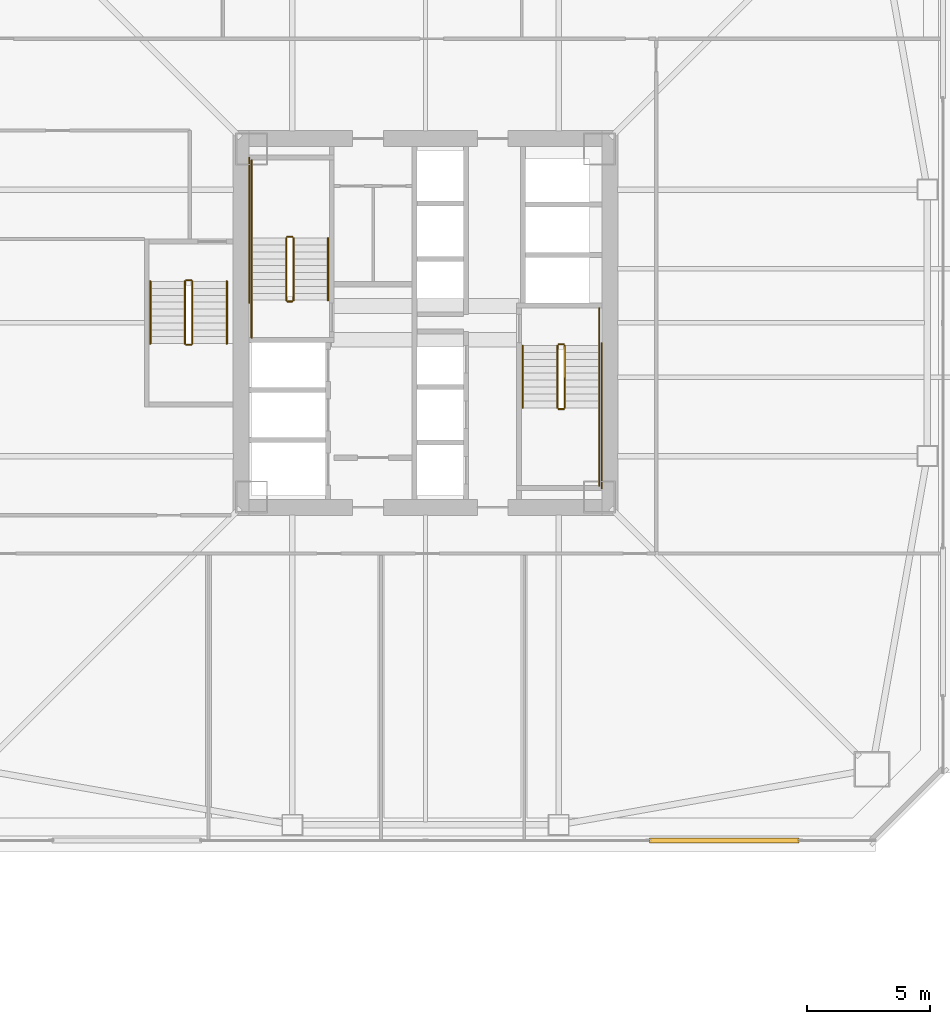
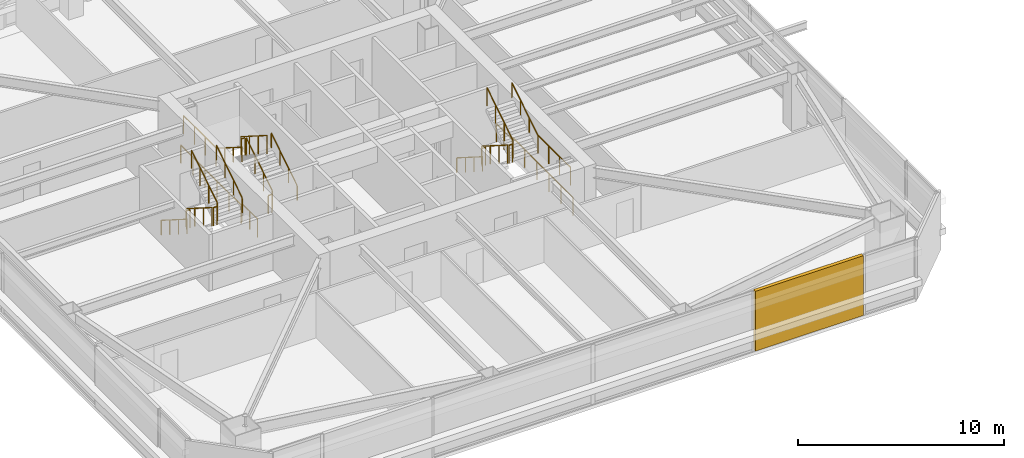
# One storey, part 42 of 47: 24 railings, 1 covering.
"""IFC4 building model written with IfcOpenShell, lengths in metres."""

from ifc_helpers import new_model, si_unit, direction, frame, origin, origin_2d, place, context, subcontext, project, spatial, rectangle, extrude, material, layer, layer_set, type_object, element, save


model = new_model("IFC4")

# Units and contexts
model_context = context("Model", 3, precision=1e-05, world=origin(), true_north=direction((0.0, 1.0)))
body_context = subcontext(model_context, "Body", "Model", "MODEL_VIEW")
ifc_project = project(units=[si_unit("LENGTHUNIT", "METRE"), si_unit("AREAUNIT", "SQUARE_METRE"), si_unit("VOLUMEUNIT", "CUBIC_METRE"), si_unit("PLANEANGLEUNIT", "RADIAN"), si_unit("MASSUNIT", "GRAM", prefix="KILO")], contexts=[model_context])

# Site, building, storey
site_placement = place(None, origin())
site = spatial("IfcSite", under=ifc_project, at=site_placement, CompositionType="ELEMENT")
building_placement = place(site_placement, origin())
building = spatial("IfcBuilding", under=site, at=building_placement, Name="Tashvorn Skyway Center", CompositionType="ELEMENT")
storey_placement = place(building_placement, frame((0.0, 0.0, 81.39990234375)))
storey = spatial("IfcBuildingStorey", under=building, at=storey_placement, Name="L21", CompositionType="ELEMENT", Elevation=81.39990234375)

# Covering
ifc_material_1 = material(Name="Precast concrete C40/50", Category="concrete")
ifc_layer = layer(ifc_material_1, 0.199951171875)
ifc_layer_set = layer_set([ifc_layer], Name="Precast concrete C40/50")
covering_type = type_object("IfcCoveringType", Name="COV-BRACE-CLAD", PredefinedType="CLADDING", material=ifc_layer_set)
covering_placement = place(storey_placement, frame((54.1201171875, 11.02001953125, 0.0), z_axis=(0.0, 0.0, 1.0), x_axis=(-1.0, 0.0, 0.0)))
element("IfcCovering", 1, at=covering_placement, inside=storey, type_object=covering_type, Name="Tower 1 L21 South Unitised Curtain Wall Mega-Brace Cladding Band 1", PredefinedType="CLADDING", context=body_context, shape_type="SweptSolid", body=[
    extrude(rectangle(XDim=6.06005859375, YDim=0.199951171875, at=origin_2d()), origin(), (0.0, 0.0, 1.0), 3.550048828125),
])

# Railings
ifc_material_2 = material(Name="Brushed stainless steel 316", Category="steel")
railing_type_1 = type_object("IfcRailingType", Name="RAIL-HAND-920", PredefinedType="HANDRAIL", material=ifc_material_2)
railing_1_placement = place(storey_placement, frame((38.050048828125, 32.919921875, 0.177490234375)))
element("IfcRailing", 2, at=railing_1_placement, inside=storey, type_object=railing_type_1, Name="L21 ST-T1-1 stair handrail 1", PredefinedType="HANDRAIL", context=body_context, shape_type="SweptSolid", body=[
    extrude(rectangle(XDim=0.048095703125, YDim=0.048095703125, at=origin_2d()), frame((0.0, 0.0, 0.8759765625), z_axis=(0.0, 0.84456994832, 0.535445237532), x_axis=(-1.0, 0.0, 0.0)), (0.0, 0.0, 1.0), 2.98388671875),
    extrude(rectangle(XDim=0.0419921875, YDim=0.0419921875, at=origin_2d()), origin(), (0.0, 0.0, 1.0), 0.851806640625),
    extrude(rectangle(XDim=0.0419921875, YDim=0.0419921875, at=origin_2d()), frame((0.0, 0.840087890625, 0.532470703125)), (0.0, 0.0, 1.0), 0.851806640625),
    extrude(rectangle(XDim=0.0419921875, YDim=0.0419921875, at=origin_2d()), frame((0.0, 1.679931640625, 1.065185546875)), (0.0, 0.0, 1.0), 0.851806640625),
    extrude(rectangle(XDim=0.0419921875, YDim=0.0419921875, at=origin_2d()), frame((0.0, 2.52001953125, 1.59765625)), (0.0, 0.0, 1.0), 0.851806640625),
])
railing_2_placement = place(storey_placement, frame((34.949951171875, 35.43994140625, 1.95263671875)))
element("IfcRailing", 3, at=railing_2_placement, inside=storey, type_object=railing_type_1, Name="L21 ST-T1-1 stair handrail 2", PredefinedType="HANDRAIL", context=body_context, shape_type="SweptSolid", body=[
    extrude(rectangle(XDim=0.048095703125, YDim=0.048095703125, at=origin_2d()), frame((0.0, 0.0, 0.8759765625), z_axis=(0.0, -0.84460694969, 0.535386869969), x_axis=(1.0, 0.0, 0.0)), (0.0, 0.0, 1.0), 2.983642578125),
    extrude(rectangle(XDim=0.0419921875, YDim=0.0419921875, at=origin_2d()), origin(), (0.0, 0.0, 1.0), 0.851806640625),
    extrude(rectangle(XDim=0.0419921875, YDim=0.0419921875, at=origin_2d()), frame((0.0, -0.840087890625, 0.532470703125)), (0.0, 0.0, 1.0), 0.851806640625),
    extrude(rectangle(XDim=0.0419921875, YDim=0.0419921875, at=origin_2d()), frame((0.0, -1.679931640625, 1.06494140625)), (0.0, 0.0, 1.0), 0.851806640625),
    extrude(rectangle(XDim=0.0419921875, YDim=0.0419921875, at=origin_2d()), frame((0.0, -2.52001953125, 1.597412109375)), (0.0, 0.0, 1.0), 0.851806640625),
])
railing_3_placement = place(storey_placement, frame((45.949951171875, 31.080078125, 0.177490234375)))
element("IfcRailing", 4, at=railing_3_placement, inside=storey, type_object=railing_type_1, Name="L21 ST-T1-2 stair handrail 1", PredefinedType="HANDRAIL", context=body_context, shape_type="SweptSolid", body=[
    extrude(rectangle(XDim=0.048095703125, YDim=0.048095703125, at=origin_2d()), frame((0.0, 0.0, 0.8759765625), z_axis=(0.0, -0.84456994832, 0.535445237532), x_axis=(1.0, 0.0, 0.0)), (0.0, 0.0, 1.0), 2.98388671875),
    extrude(rectangle(XDim=0.0419921875, YDim=0.0419921875, at=origin_2d()), origin(), (0.0, 0.0, 1.0), 0.851806640625),
    extrude(rectangle(XDim=0.0419921875, YDim=0.0419921875, at=origin_2d()), frame((0.0, -0.840087890625, 0.532470703125)), (0.0, 0.0, 1.0), 0.851806640625),
    extrude(rectangle(XDim=0.0419921875, YDim=0.0419921875, at=origin_2d()), frame((0.0, -1.679931640625, 1.065185546875)), (0.0, 0.0, 1.0), 0.851806640625),
    extrude(rectangle(XDim=0.0419921875, YDim=0.0419921875, at=origin_2d()), frame((0.0, -2.52001953125, 1.59765625)), (0.0, 0.0, 1.0), 0.851806640625),
])
railing_4_placement = place(storey_placement, frame((49.050048828125, 28.56005859375, 1.95263671875)))
element("IfcRailing", 5, at=railing_4_placement, inside=storey, type_object=railing_type_1, Name="L21 ST-T1-2 stair handrail 2", PredefinedType="HANDRAIL", context=body_context, shape_type="SweptSolid", body=[
    extrude(rectangle(XDim=0.048095703125, YDim=0.048095703125, at=origin_2d()), frame((0.0, 0.0, 0.8759765625), z_axis=(0.0, 0.84460694969, 0.535386869969), x_axis=(-1.0, 0.0, 0.0)), (0.0, 0.0, 1.0), 2.983642578125),
    extrude(rectangle(XDim=0.0419921875, YDim=0.0419921875, at=origin_2d()), origin(), (0.0, 0.0, 1.0), 0.851806640625),
    extrude(rectangle(XDim=0.0419921875, YDim=0.0419921875, at=origin_2d()), frame((0.0, 0.840087890625, 0.532470703125)), (0.0, 0.0, 1.0), 0.851806640625),
    extrude(rectangle(XDim=0.0419921875, YDim=0.0419921875, at=origin_2d()), frame((0.0, 1.679931640625, 1.06494140625)), (0.0, 0.0, 1.0), 0.851806640625),
    extrude(rectangle(XDim=0.0419921875, YDim=0.0419921875, at=origin_2d()), frame((0.0, 2.52001953125, 1.597412109375)), (0.0, 0.0, 1.0), 0.851806640625),
])
railing_5_placement = place(storey_placement, frame((30.85009765625, 33.679931640625, 0.177490234375)))
element("IfcRailing", 6, at=railing_5_placement, inside=storey, type_object=railing_type_1, Name="L21 ST-T1-3 stair handrail 1", PredefinedType="HANDRAIL", context=body_context, shape_type="SweptSolid", body=[
    extrude(rectangle(XDim=0.048095703125, YDim=0.048095703125, at=origin_2d()), frame((0.0, 0.0, 0.8759765625), z_axis=(0.0, -0.84456994832, 0.535445237532), x_axis=(1.0, 0.0, 0.0)), (0.0, 0.0, 1.0), 2.98388671875),
    extrude(rectangle(XDim=0.0419921875, YDim=0.0419921875, at=origin_2d()), origin(), (0.0, 0.0, 1.0), 0.851806640625),
    extrude(rectangle(XDim=0.0419921875, YDim=0.0419921875, at=origin_2d()), frame((0.0, -0.840087890625, 0.532470703125)), (0.0, 0.0, 1.0), 0.851806640625),
    extrude(rectangle(XDim=0.0419921875, YDim=0.0419921875, at=origin_2d()), frame((0.0, -1.679931640625, 1.065185546875)), (0.0, 0.0, 1.0), 0.851806640625),
    extrude(rectangle(XDim=0.0419921875, YDim=0.0419921875, at=origin_2d()), frame((0.0, -2.52001953125, 1.59765625)), (0.0, 0.0, 1.0), 0.851806640625),
])
railing_6_placement = place(storey_placement, frame((33.949951171875, 31.159912109375, 1.95263671875)))
element("IfcRailing", 7, at=railing_6_placement, inside=storey, type_object=railing_type_1, Name="L21 ST-T1-3 stair handrail 2", PredefinedType="HANDRAIL", context=body_context, shape_type="SweptSolid", body=[
    extrude(rectangle(XDim=0.048095703125, YDim=0.048095703125, at=origin_2d()), frame((0.0, 0.0, 0.8759765625), z_axis=(0.0, 0.84460694969, 0.535386869969), x_axis=(-1.0, 0.0, 0.0)), (0.0, 0.0, 1.0), 2.983642578125),
    extrude(rectangle(XDim=0.0419921875, YDim=0.0419921875, at=origin_2d()), origin(), (0.0, 0.0, 1.0), 0.851806640625),
    extrude(rectangle(XDim=0.0419921875, YDim=0.0419921875, at=origin_2d()), frame((0.0, 0.840087890625, 0.532470703125)), (0.0, 0.0, 1.0), 0.851806640625),
    extrude(rectangle(XDim=0.0419921875, YDim=0.0419921875, at=origin_2d()), frame((0.0, 1.679931640625, 1.06494140625)), (0.0, 0.0, 1.0), 0.851806640625),
    extrude(rectangle(XDim=0.0419921875, YDim=0.0419921875, at=origin_2d()), frame((0.0, 2.52001953125, 1.597412109375)), (0.0, 0.0, 1.0), 0.851806640625),
])
ifc_material_3 = material(Name="Painted galvanized steel S355", Category="steel")
railing_type_2 = type_object("IfcRailingType", Name="RAIL-STGUARD-1100", PredefinedType="GUARDRAIL", material=ifc_material_3)
railing_7_placement = place(storey_placement, frame((36.64990234375, 32.919921875, 0.177490234375)))
element("IfcRailing", 8, at=railing_7_placement, inside=storey, type_object=railing_type_2, Name="L21 ST-T1-1 stair guard 1", PredefinedType="GUARDRAIL", context=body_context, shape_type="SweptSolid", body=[
    extrude(rectangle(XDim=0.048095703125, YDim=0.048095703125, at=origin_2d()), frame((0.0, 0.0, 1.076171875), z_axis=(0.0, 0.84456994832, 0.535445237532), x_axis=(-1.0, 0.0, 0.0)), (0.0, 0.0, 1.0), 2.98388671875),
    extrude(rectangle(XDim=0.0419921875, YDim=0.0419921875, at=origin_2d()), origin(), (0.0, 0.0, 1.0), 1.052001953125),
    extrude(rectangle(XDim=0.0419921875, YDim=0.0419921875, at=origin_2d()), frame((0.0, 0.840087890625, 0.532470703125)), (0.0, 0.0, 1.0), 1.052001953125),
    extrude(rectangle(XDim=0.0419921875, YDim=0.0419921875, at=origin_2d()), frame((0.0, 1.679931640625, 1.065185546875)), (0.0, 0.0, 1.0), 1.052001953125),
    extrude(rectangle(XDim=0.0419921875, YDim=0.0419921875, at=origin_2d()), frame((0.0, 2.52001953125, 1.59765625)), (0.0, 0.0, 1.0), 1.052001953125),
])
railing_8_placement = place(storey_placement, frame((36.60009765625, 35.489990234375, 1.775146484375)))
element("IfcRailing", 9, at=railing_8_placement, inside=storey, type_object=railing_type_2, Name="L21 ST-T1-1 stair guard 2", PredefinedType="GUARDRAIL", context=body_context, shape_type="SweptSolid", body=[
    extrude(rectangle(XDim=0.048095703125, YDim=0.048095703125, at=origin_2d()), frame((0.0, 0.0, 1.076171875), z_axis=(-1.0, 0.0, 0.0), x_axis=(0.0, -1.0, 0.0)), (0.0, 0.0, 1.0), 0.2001953125),
    extrude(rectangle(XDim=0.0419921875, YDim=0.0419921875, at=origin_2d()), origin(), (0.0, 0.0, 1.0), 1.052001953125),
    extrude(rectangle(XDim=0.0419921875, YDim=0.0419921875, at=origin_2d()), frame((-0.2001953125, 0.0, 0.0)), (0.0, 0.0, 1.0), 1.052001953125),
])
railing_9_placement = place(storey_placement, frame((34.949951171875, 35.43994140625, 1.775146484375)))
element("IfcRailing", 10, at=railing_9_placement, inside=storey, type_object=railing_type_2, Name="L21 ST-T1-1 stair guard 3", PredefinedType="GUARDRAIL", context=body_context, shape_type="SweptSolid", body=[
    extrude(rectangle(XDim=0.048095703125, YDim=0.048095703125, at=origin_2d()), frame((0.0, 0.0, 1.076171875), z_axis=(0.0, 1.0, 0.0), x_axis=(-1.0, 0.0, 0.0)), (0.0, 0.0, 1.0), 3.16015625),
    extrude(rectangle(XDim=0.0419921875, YDim=0.0419921875, at=origin_2d()), origin(), (0.0, 0.0, 1.0), 1.052001953125),
    extrude(rectangle(XDim=0.0419921875, YDim=0.0419921875, at=origin_2d()), frame((0.0, 1.053466796875, 0.0)), (0.0, 0.0, 1.0), 1.052001953125),
    extrude(rectangle(XDim=0.0419921875, YDim=0.0419921875, at=origin_2d()), frame((0.0, 2.106689453125, 0.0)), (0.0, 0.0, 1.0), 1.052001953125),
    extrude(rectangle(XDim=0.0419921875, YDim=0.0419921875, at=origin_2d()), frame((0.0, 3.16015625, 0.0)), (0.0, 0.0, 1.0), 1.052001953125),
])
railing_10_placement = place(storey_placement, frame((36.35009765625, 35.43994140625, 1.95263671875)))
element("IfcRailing", 11, at=railing_10_placement, inside=storey, type_object=railing_type_2, Name="L21 ST-T1-1 stair guard 4", PredefinedType="GUARDRAIL", context=body_context, shape_type="SweptSolid", body=[
    extrude(rectangle(XDim=0.048095703125, YDim=0.048095703125, at=origin_2d()), frame((0.0, 0.0, 1.076171875), z_axis=(0.0, -0.84460694969, 0.535386869969), x_axis=(1.0, 0.0, 0.0)), (0.0, 0.0, 1.0), 2.983642578125),
    extrude(rectangle(XDim=0.0419921875, YDim=0.0419921875, at=origin_2d()), origin(), (0.0, 0.0, 1.0), 1.052001953125),
    extrude(rectangle(XDim=0.0419921875, YDim=0.0419921875, at=origin_2d()), frame((0.0, -0.840087890625, 0.532470703125)), (0.0, 0.0, 1.0), 1.052001953125),
    extrude(rectangle(XDim=0.0419921875, YDim=0.0419921875, at=origin_2d()), frame((0.0, -1.679931640625, 1.06494140625)), (0.0, 0.0, 1.0), 1.052001953125),
    extrude(rectangle(XDim=0.0419921875, YDim=0.0419921875, at=origin_2d()), frame((0.0, -2.52001953125, 1.597412109375)), (0.0, 0.0, 1.0), 1.052001953125),
])
railing_11_placement = place(storey_placement, frame((36.60009765625, 32.8701171875, 0.0)))
element("IfcRailing", 12, at=railing_11_placement, inside=storey, type_object=railing_type_2, Name="L21 ST-T1-1 stair guard 5", PredefinedType="GUARDRAIL", context=body_context, shape_type="SweptSolid", body=[
    extrude(rectangle(XDim=0.048095703125, YDim=0.048095703125, at=origin_2d()), frame((0.0, 0.0, 1.076171875), z_axis=(-1.0, 0.0, 0.0), x_axis=(0.0, -1.0, 0.0)), (0.0, 0.0, 1.0), 0.2001953125),
    extrude(rectangle(XDim=0.0419921875, YDim=0.0419921875, at=origin_2d()), origin(), (0.0, 0.0, 1.0), 1.052001953125),
    extrude(rectangle(XDim=0.0419921875, YDim=0.0419921875, at=origin_2d()), frame((-0.2001953125, 0.0, 0.0)), (0.0, 0.0, 1.0), 1.052001953125),
])
railing_12_placement = place(storey_placement, frame((34.949951171875, 31.39990234375, 0.0)))
element("IfcRailing", 13, at=railing_12_placement, inside=storey, type_object=railing_type_2, Name="L21 ST-T1-1 stair guard 6", PredefinedType="GUARDRAIL", context=body_context, shape_type="SweptSolid", body=[
    extrude(rectangle(XDim=0.048095703125, YDim=0.048095703125, at=origin_2d()), frame((0.0, 0.0, 1.076171875), z_axis=(0.0, 1.0, 0.0), x_axis=(-1.0, 0.0, 0.0)), (0.0, 0.0, 1.0), 1.52001953125),
    extrude(rectangle(XDim=0.0419921875, YDim=0.0419921875, at=origin_2d()), origin(), (0.0, 0.0, 1.0), 1.052001953125),
    extrude(rectangle(XDim=0.0419921875, YDim=0.0419921875, at=origin_2d()), frame((0.0, 0.760009765625, 0.0)), (0.0, 0.0, 1.0), 1.052001953125),
    extrude(rectangle(XDim=0.0419921875, YDim=0.0419921875, at=origin_2d()), frame((0.0, 1.52001953125, 0.0)), (0.0, 0.0, 1.0), 1.052001953125),
])
railing_13_placement = place(storey_placement, frame((34.85009765625, 32.820068359375, 0.0)))
element("IfcRailing", 14, at=railing_13_placement, inside=storey, type_object=railing_type_2, Name="L21 ST-T1-1 stair guard 7", PredefinedType="GUARDRAIL", context=body_context, shape_type="SweptSolid", body=[
    extrude(rectangle(XDim=0.048095703125, YDim=0.048095703125, at=origin_2d()), frame((0.0, 0.0, 1.076171875), z_axis=(0.0, 1.0, 0.0), x_axis=(-1.0, 0.0, 0.0)), (0.0, 0.0, 1.0), 5.8798828125),
    extrude(rectangle(XDim=0.0419921875, YDim=0.0419921875, at=origin_2d()), origin(), (0.0, 0.0, 1.0), 1.052001953125),
    extrude(rectangle(XDim=0.0419921875, YDim=0.0419921875, at=origin_2d()), frame((0.0, 1.176025390625, 0.0)), (0.0, 0.0, 1.0), 1.052001953125),
    extrude(rectangle(XDim=0.0419921875, YDim=0.0419921875, at=origin_2d()), frame((0.0, 2.35205078125, 0.0)), (0.0, 0.0, 1.0), 1.052001953125),
    extrude(rectangle(XDim=0.0419921875, YDim=0.0419921875, at=origin_2d()), frame((0.0, 3.52783203125, 0.0)), (0.0, 0.0, 1.0), 1.052001953125),
    extrude(rectangle(XDim=0.0419921875, YDim=0.0419921875, at=origin_2d()), frame((0.0, 4.703857421875, 0.0)), (0.0, 0.0, 1.0), 1.052001953125),
    extrude(rectangle(XDim=0.0419921875, YDim=0.0419921875, at=origin_2d()), frame((0.0, 5.8798828125, 0.0)), (0.0, 0.0, 1.0), 1.052001953125),
])
railing_14_placement = place(storey_placement, frame((47.35009765625, 31.080078125, 0.177490234375)))
element("IfcRailing", 15, at=railing_14_placement, inside=storey, type_object=railing_type_2, Name="L21 ST-T1-2 stair guard 1", PredefinedType="GUARDRAIL", context=body_context, shape_type="SweptSolid", body=[
    extrude(rectangle(XDim=0.048095703125, YDim=0.048095703125, at=origin_2d()), frame((0.0, 0.0, 1.076171875), z_axis=(0.0, -0.84456994832, 0.535445237532), x_axis=(1.0, 0.0, 0.0)), (0.0, 0.0, 1.0), 2.98388671875),
    extrude(rectangle(XDim=0.0419921875, YDim=0.0419921875, at=origin_2d()), origin(), (0.0, 0.0, 1.0), 1.052001953125),
    extrude(rectangle(XDim=0.0419921875, YDim=0.0419921875, at=origin_2d()), frame((0.0, -0.840087890625, 0.532470703125)), (0.0, 0.0, 1.0), 1.052001953125),
    extrude(rectangle(XDim=0.0419921875, YDim=0.0419921875, at=origin_2d()), frame((0.0, -1.679931640625, 1.065185546875)), (0.0, 0.0, 1.0), 1.052001953125),
    extrude(rectangle(XDim=0.0419921875, YDim=0.0419921875, at=origin_2d()), frame((0.0, -2.52001953125, 1.59765625)), (0.0, 0.0, 1.0), 1.052001953125),
])
railing_15_placement = place(storey_placement, frame((47.39990234375, 28.510009765625, 1.775146484375)))
element("IfcRailing", 16, at=railing_15_placement, inside=storey, type_object=railing_type_2, Name="L21 ST-T1-2 stair guard 2", PredefinedType="GUARDRAIL", context=body_context, shape_type="SweptSolid", body=[
    extrude(rectangle(XDim=0.048095703125, YDim=0.048095703125, at=origin_2d()), frame((0.0, 0.0, 1.076171875), z_axis=(1.0, 0.0, 0.0), x_axis=(0.0, 1.0, 0.0)), (0.0, 0.0, 1.0), 0.2001953125),
    extrude(rectangle(XDim=0.0419921875, YDim=0.0419921875, at=origin_2d()), origin(), (0.0, 0.0, 1.0), 1.052001953125),
    extrude(rectangle(XDim=0.0419921875, YDim=0.0419921875, at=origin_2d()), frame((0.2001953125, 0.0, 0.0)), (0.0, 0.0, 1.0), 1.052001953125),
])
railing_16_placement = place(storey_placement, frame((49.050048828125, 28.56005859375, 1.775146484375)))
element("IfcRailing", 17, at=railing_16_placement, inside=storey, type_object=railing_type_2, Name="L21 ST-T1-2 stair guard 3", PredefinedType="GUARDRAIL", context=body_context, shape_type="SweptSolid", body=[
    extrude(rectangle(XDim=0.048095703125, YDim=0.048095703125, at=origin_2d()), frame((0.0, 0.0, 1.076171875), z_axis=(0.0, -1.0, 0.0), x_axis=(1.0, 0.0, 0.0)), (0.0, 0.0, 1.0), 3.16015625),
    extrude(rectangle(XDim=0.0419921875, YDim=0.0419921875, at=origin_2d()), origin(), (0.0, 0.0, 1.0), 1.052001953125),
    extrude(rectangle(XDim=0.0419921875, YDim=0.0419921875, at=origin_2d()), frame((0.0, -1.053466796875, 0.0)), (0.0, 0.0, 1.0), 1.052001953125),
    extrude(rectangle(XDim=0.0419921875, YDim=0.0419921875, at=origin_2d()), frame((0.0, -2.106689453125, 0.0)), (0.0, 0.0, 1.0), 1.052001953125),
    extrude(rectangle(XDim=0.0419921875, YDim=0.0419921875, at=origin_2d()), frame((0.0, -3.16015625, 0.0)), (0.0, 0.0, 1.0), 1.052001953125),
])
railing_17_placement = place(storey_placement, frame((47.64990234375, 28.56005859375, 1.95263671875)))
element("IfcRailing", 18, at=railing_17_placement, inside=storey, type_object=railing_type_2, Name="L21 ST-T1-2 stair guard 4", PredefinedType="GUARDRAIL", context=body_context, shape_type="SweptSolid", body=[
    extrude(rectangle(XDim=0.048095703125, YDim=0.048095703125, at=origin_2d()), frame((0.0, 0.0, 1.076171875), z_axis=(0.0, 0.84460694969, 0.535386869969), x_axis=(-1.0, 0.0, 0.0)), (0.0, 0.0, 1.0), 2.983642578125),
    extrude(rectangle(XDim=0.0419921875, YDim=0.0419921875, at=origin_2d()), origin(), (0.0, 0.0, 1.0), 1.052001953125),
    extrude(rectangle(XDim=0.0419921875, YDim=0.0419921875, at=origin_2d()), frame((0.0, 0.840087890625, 0.532470703125)), (0.0, 0.0, 1.0), 1.052001953125),
    extrude(rectangle(XDim=0.0419921875, YDim=0.0419921875, at=origin_2d()), frame((0.0, 1.679931640625, 1.06494140625)), (0.0, 0.0, 1.0), 1.052001953125),
    extrude(rectangle(XDim=0.0419921875, YDim=0.0419921875, at=origin_2d()), frame((0.0, 2.52001953125, 1.597412109375)), (0.0, 0.0, 1.0), 1.052001953125),
])
railing_18_placement = place(storey_placement, frame((47.39990234375, 31.1298828125, 0.0)))
element("IfcRailing", 19, at=railing_18_placement, inside=storey, type_object=railing_type_2, Name="L21 ST-T1-2 stair guard 5", PredefinedType="GUARDRAIL", context=body_context, shape_type="SweptSolid", body=[
    extrude(rectangle(XDim=0.048095703125, YDim=0.048095703125, at=origin_2d()), frame((0.0, 0.0, 1.076171875), z_axis=(1.0, 0.0, 0.0), x_axis=(0.0, 1.0, 0.0)), (0.0, 0.0, 1.0), 0.2001953125),
    extrude(rectangle(XDim=0.0419921875, YDim=0.0419921875, at=origin_2d()), origin(), (0.0, 0.0, 1.0), 1.052001953125),
    extrude(rectangle(XDim=0.0419921875, YDim=0.0419921875, at=origin_2d()), frame((0.2001953125, 0.0, 0.0)), (0.0, 0.0, 1.0), 1.052001953125),
])
railing_19_placement = place(storey_placement, frame((49.050048828125, 32.60009765625, 0.0)))
element("IfcRailing", 20, at=railing_19_placement, inside=storey, type_object=railing_type_2, Name="L21 ST-T1-2 stair guard 6", PredefinedType="GUARDRAIL", context=body_context, shape_type="SweptSolid", body=[
    extrude(rectangle(XDim=0.048095703125, YDim=0.048095703125, at=origin_2d()), frame((0.0, 0.0, 1.076171875), z_axis=(0.0, -1.0, 0.0), x_axis=(1.0, 0.0, 0.0)), (0.0, 0.0, 1.0), 1.52001953125),
    extrude(rectangle(XDim=0.0419921875, YDim=0.0419921875, at=origin_2d()), origin(), (0.0, 0.0, 1.0), 1.052001953125),
    extrude(rectangle(XDim=0.0419921875, YDim=0.0419921875, at=origin_2d()), frame((0.0, -0.760009765625, 0.0)), (0.0, 0.0, 1.0), 1.052001953125),
    extrude(rectangle(XDim=0.0419921875, YDim=0.0419921875, at=origin_2d()), frame((0.0, -1.52001953125, 0.0)), (0.0, 0.0, 1.0), 1.052001953125),
])
railing_20_placement = place(storey_placement, frame((49.14990234375, 31.179931640625, 0.0)))
element("IfcRailing", 21, at=railing_20_placement, inside=storey, type_object=railing_type_2, Name="L21 ST-T1-2 stair guard 7", PredefinedType="GUARDRAIL", context=body_context, shape_type="SweptSolid", body=[
    extrude(rectangle(XDim=0.048095703125, YDim=0.048095703125, at=origin_2d()), frame((0.0, 0.0, 1.076171875), z_axis=(0.0, -1.0, 0.0), x_axis=(1.0, 0.0, 0.0)), (0.0, 0.0, 1.0), 5.8798828125),
    extrude(rectangle(XDim=0.0419921875, YDim=0.0419921875, at=origin_2d()), origin(), (0.0, 0.0, 1.0), 1.052001953125),
    extrude(rectangle(XDim=0.0419921875, YDim=0.0419921875, at=origin_2d()), frame((0.0, -1.176025390625, 0.0)), (0.0, 0.0, 1.0), 1.052001953125),
    extrude(rectangle(XDim=0.0419921875, YDim=0.0419921875, at=origin_2d()), frame((0.0, -2.35205078125, 0.0)), (0.0, 0.0, 1.0), 1.052001953125),
    extrude(rectangle(XDim=0.0419921875, YDim=0.0419921875, at=origin_2d()), frame((0.0, -3.52783203125, 0.0)), (0.0, 0.0, 1.0), 1.052001953125),
    extrude(rectangle(XDim=0.0419921875, YDim=0.0419921875, at=origin_2d()), frame((0.0, -4.703857421875, 0.0)), (0.0, 0.0, 1.0), 1.052001953125),
    extrude(rectangle(XDim=0.0419921875, YDim=0.0419921875, at=origin_2d()), frame((0.0, -5.8798828125, 0.0)), (0.0, 0.0, 1.0), 1.052001953125),
])
railing_21_placement = place(storey_placement, frame((32.25, 33.679931640625, 0.177490234375)))
element("IfcRailing", 22, at=railing_21_placement, inside=storey, type_object=railing_type_2, Name="L21 ST-T1-3 stair guard 1", PredefinedType="GUARDRAIL", context=body_context, shape_type="SweptSolid", body=[
    extrude(rectangle(XDim=0.048095703125, YDim=0.048095703125, at=origin_2d()), frame((0.0, 0.0, 1.076171875), z_axis=(0.0, -0.84456994832, 0.535445237532), x_axis=(1.0, 0.0, 0.0)), (0.0, 0.0, 1.0), 2.98388671875),
    extrude(rectangle(XDim=0.0419921875, YDim=0.0419921875, at=origin_2d()), origin(), (0.0, 0.0, 1.0), 1.052001953125),
    extrude(rectangle(XDim=0.0419921875, YDim=0.0419921875, at=origin_2d()), frame((0.0, -0.840087890625, 0.532470703125)), (0.0, 0.0, 1.0), 1.052001953125),
    extrude(rectangle(XDim=0.0419921875, YDim=0.0419921875, at=origin_2d()), frame((0.0, -1.679931640625, 1.065185546875)), (0.0, 0.0, 1.0), 1.052001953125),
    extrude(rectangle(XDim=0.0419921875, YDim=0.0419921875, at=origin_2d()), frame((0.0, -2.52001953125, 1.59765625)), (0.0, 0.0, 1.0), 1.052001953125),
])
railing_22_placement = place(storey_placement, frame((32.300048828125, 31.110107421875, 1.775146484375)))
element("IfcRailing", 23, at=railing_22_placement, inside=storey, type_object=railing_type_2, Name="L21 ST-T1-3 stair guard 2", PredefinedType="GUARDRAIL", context=body_context, shape_type="SweptSolid", body=[
    extrude(rectangle(XDim=0.048095703125, YDim=0.048095703125, at=origin_2d()), frame((0.0, 0.0, 1.076171875), z_axis=(1.0, 0.0, 0.0), x_axis=(0.0, 1.0, 0.0)), (0.0, 0.0, 1.0), 0.199951171875),
    extrude(rectangle(XDim=0.0419921875, YDim=0.0419921875, at=origin_2d()), origin(), (0.0, 0.0, 1.0), 1.052001953125),
    extrude(rectangle(XDim=0.0419921875, YDim=0.0419921875, at=origin_2d()), frame((0.199951171875, 0.0, 0.0)), (0.0, 0.0, 1.0), 1.052001953125),
])
railing_23_placement = place(storey_placement, frame((32.550048828125, 31.159912109375, 1.95263671875)))
element("IfcRailing", 24, at=railing_23_placement, inside=storey, type_object=railing_type_2, Name="L21 ST-T1-3 stair guard 3", PredefinedType="GUARDRAIL", context=body_context, shape_type="SweptSolid", body=[
    extrude(rectangle(XDim=0.048095703125, YDim=0.048095703125, at=origin_2d()), frame((0.0, 0.0, 1.076171875), z_axis=(0.0, 0.84460694969, 0.535386869969), x_axis=(-1.0, 0.0, 0.0)), (0.0, 0.0, 1.0), 2.983642578125),
    extrude(rectangle(XDim=0.0419921875, YDim=0.0419921875, at=origin_2d()), origin(), (0.0, 0.0, 1.0), 1.052001953125),
    extrude(rectangle(XDim=0.0419921875, YDim=0.0419921875, at=origin_2d()), frame((0.0, 0.840087890625, 0.532470703125)), (0.0, 0.0, 1.0), 1.052001953125),
    extrude(rectangle(XDim=0.0419921875, YDim=0.0419921875, at=origin_2d()), frame((0.0, 1.679931640625, 1.06494140625)), (0.0, 0.0, 1.0), 1.052001953125),
    extrude(rectangle(XDim=0.0419921875, YDim=0.0419921875, at=origin_2d()), frame((0.0, 2.52001953125, 1.597412109375)), (0.0, 0.0, 1.0), 1.052001953125),
])
railing_24_placement = place(storey_placement, frame((32.300048828125, 33.72998046875, 0.0)))
element("IfcRailing", 25, at=railing_24_placement, inside=storey, type_object=railing_type_2, Name="L21 ST-T1-3 stair guard 4", PredefinedType="GUARDRAIL", context=body_context, shape_type="SweptSolid", body=[
    extrude(rectangle(XDim=0.048095703125, YDim=0.048095703125, at=origin_2d()), frame((0.0, 0.0, 1.076171875), z_axis=(1.0, 0.0, 0.0), x_axis=(0.0, 1.0, 0.0)), (0.0, 0.0, 1.0), 0.199951171875),
    extrude(rectangle(XDim=0.0419921875, YDim=0.0419921875, at=origin_2d()), origin(), (0.0, 0.0, 1.0), 1.052001953125),
    extrude(rectangle(XDim=0.0419921875, YDim=0.0419921875, at=origin_2d()), frame((0.199951171875, 0.0, 0.0)), (0.0, 0.0, 1.0), 1.052001953125),
])

save(model, "model.ifc")
